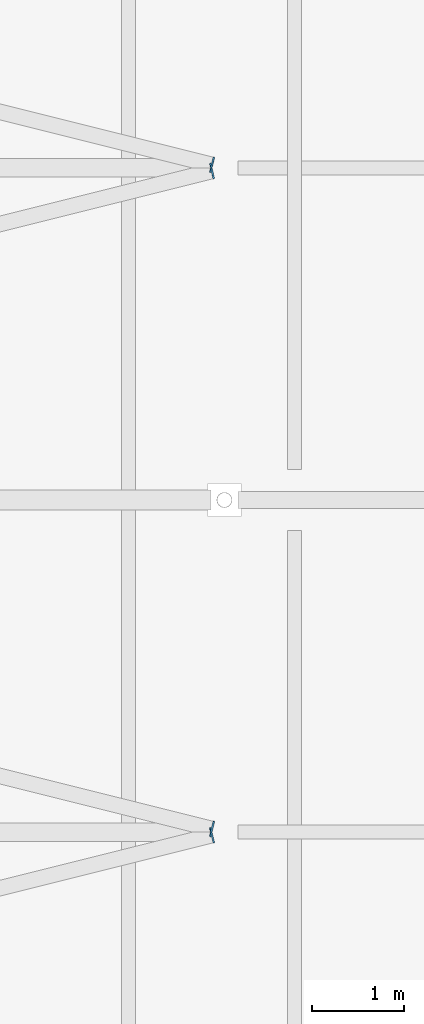
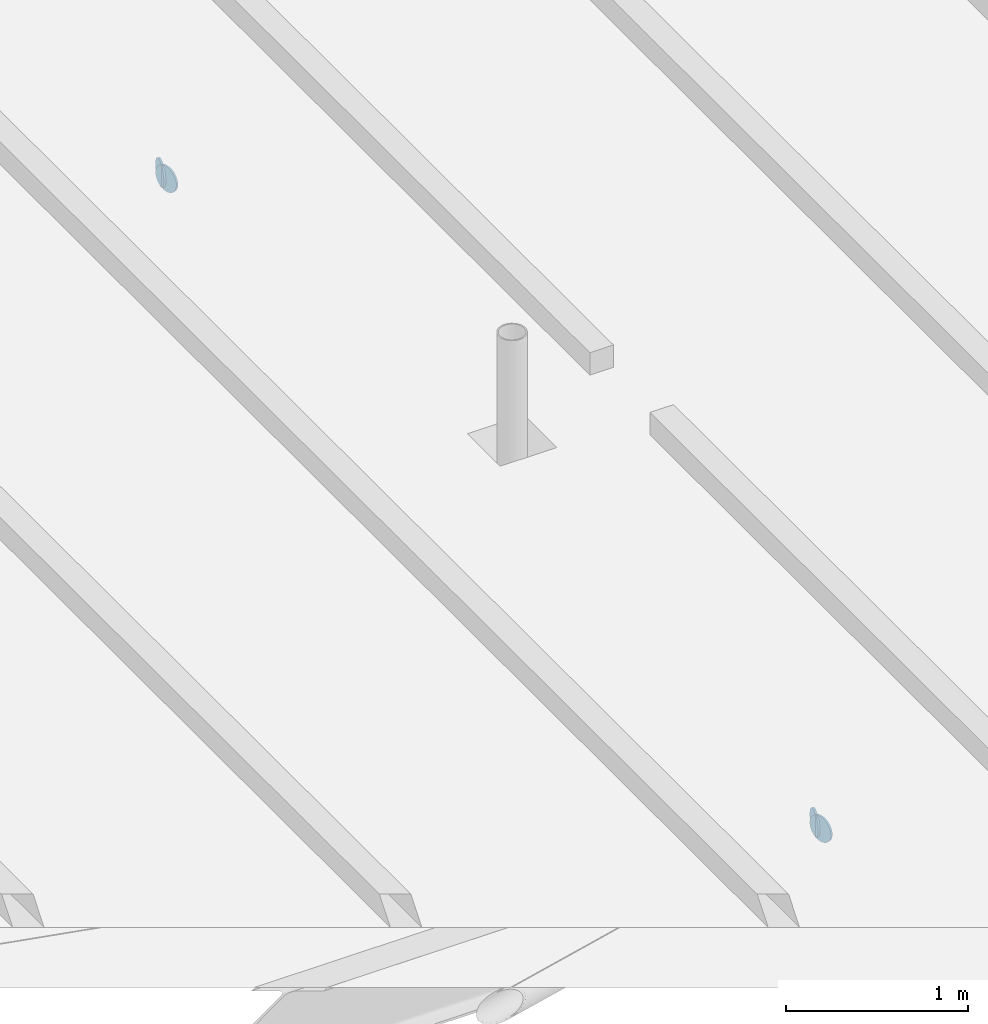
# One storey, part 98 of 120: 4 discrete accessories.
"""IFC4 building model written with IfcOpenShell, lengths in metres."""

from ifc_helpers import new_model, si_unit, direction, frame, origin, origin_2d, place, context, subcontext, project, spatial, circle, extrude, material, layer, layer_set, type_object, element, save


model = new_model("IFC4")

# Units and contexts
model_context = context("Model", 3, precision=1e-05, world=origin(), true_north=direction((0.0, 1.0)))
body_context = subcontext(model_context, "Body", "Model", "MODEL_VIEW")
ifc_project = project(units=[si_unit("LENGTHUNIT", "METRE"), si_unit("AREAUNIT", "SQUARE_METRE"), si_unit("VOLUMEUNIT", "CUBIC_METRE"), si_unit("PLANEANGLEUNIT", "RADIAN"), si_unit("MASSUNIT", "GRAM", prefix="KILO")], contexts=[model_context])

# Site, building, storey
site_placement = place(None, origin())
site = spatial("IfcSite", under=ifc_project, at=site_placement, CompositionType="ELEMENT")
building_placement = place(site_placement, origin())
building = spatial("IfcBuilding", under=site, at=building_placement, Name="Kupolbacken Congress Centre", CompositionType="ELEMENT")
storey_placement = place(building_placement, frame((0.0, 0.0, 21.60009765625)))
storey = spatial("IfcBuildingStorey", under=building, at=storey_placement, Name="L06", CompositionType="ELEMENT", Elevation=21.60009765625)

# Discrete accessories
ifc_material = material(Name="Steel S355", Category="steel")
ifc_layer = layer(ifc_material, 0.011962890625)
ifc_layer_set = layer_set([ifc_layer], Name="Steel S355")
discrete_accessory_type = type_object("IfcDiscreteAccessoryType", Name="EC2 tube end cap plate 168 dia x 12", PredefinedType="BRACKET", material=ifc_layer_set)
for number, where, z_axis, x_axis, name in (
    (1, (194.25927734375, 57.564697265625, -0.084228515625), (0.970142500145, 0.242535625036, 0.0), (-0.242535625036, 0.970142500145, 0.0), "End cap plate HR/RB/07-03 B"),
    (2, (194.25927734375, 57.63525390625, -0.084228515625), (0.970142500145, -0.242535625036, 0.0), (0.242535625036, 0.970142500145, 0.0), "End cap plate HR/RB/07-04 A"),
    (3, (194.25927734375, 64.764892578125, -0.084228515625), (0.974732318528, 0.223376156329, 0.0), (-0.223376156329, 0.974732318528, 0.0), "End cap plate HR/RB/07-05 B"),
    (4, (194.25927734375, 64.835205078125, -0.084228515625), (0.970142500145, -0.242535625036, 0.0), (0.242535625036, 0.970142500145, 0.0), "End cap plate HR/RB/07-06 A"),
):
    element("IfcDiscreteAccessory", number, at=place(storey_placement, frame(where, z_axis=z_axis, x_axis=x_axis)), inside=storey, type_object=discrete_accessory_type, Name=name, PredefinedType="BRACKET", context=body_context, shape_type="SweptSolid", body=[
        extrude(circle(Radius=0.084228515625, at=origin_2d()), origin(), (0.0, 0.0, 1.0), 0.011962890625),
    ])

save(model, "model.ifc")
